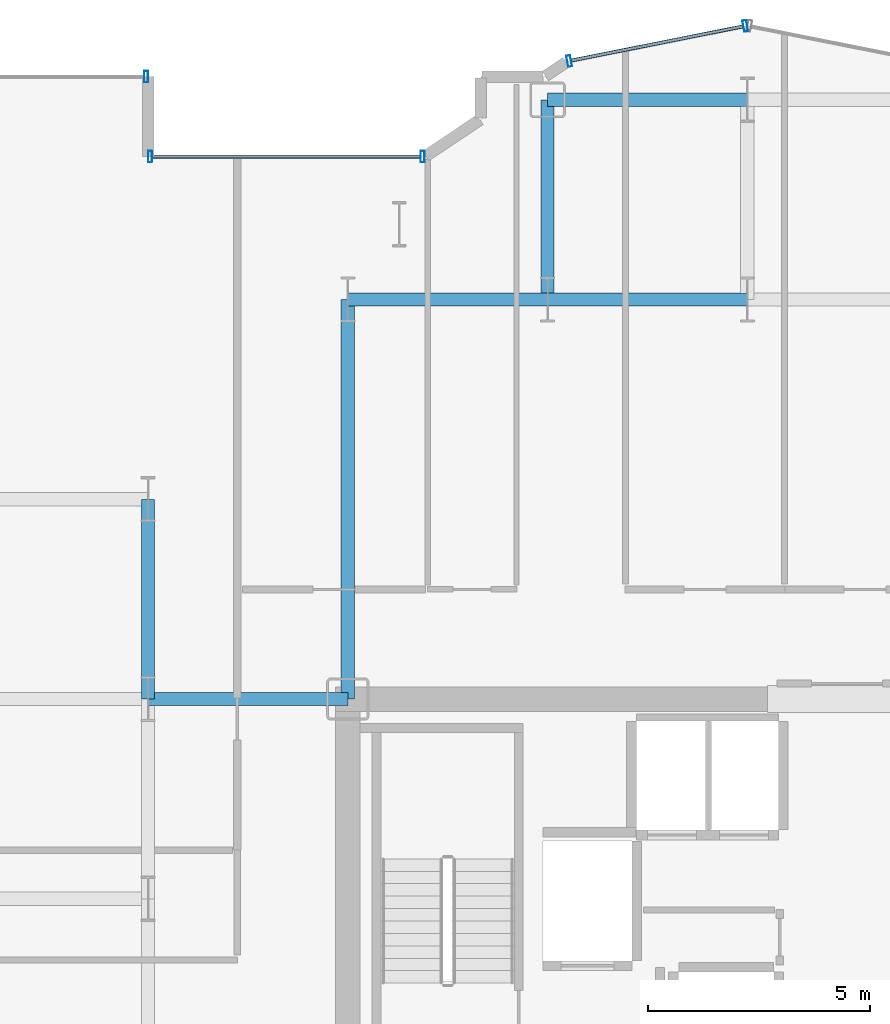
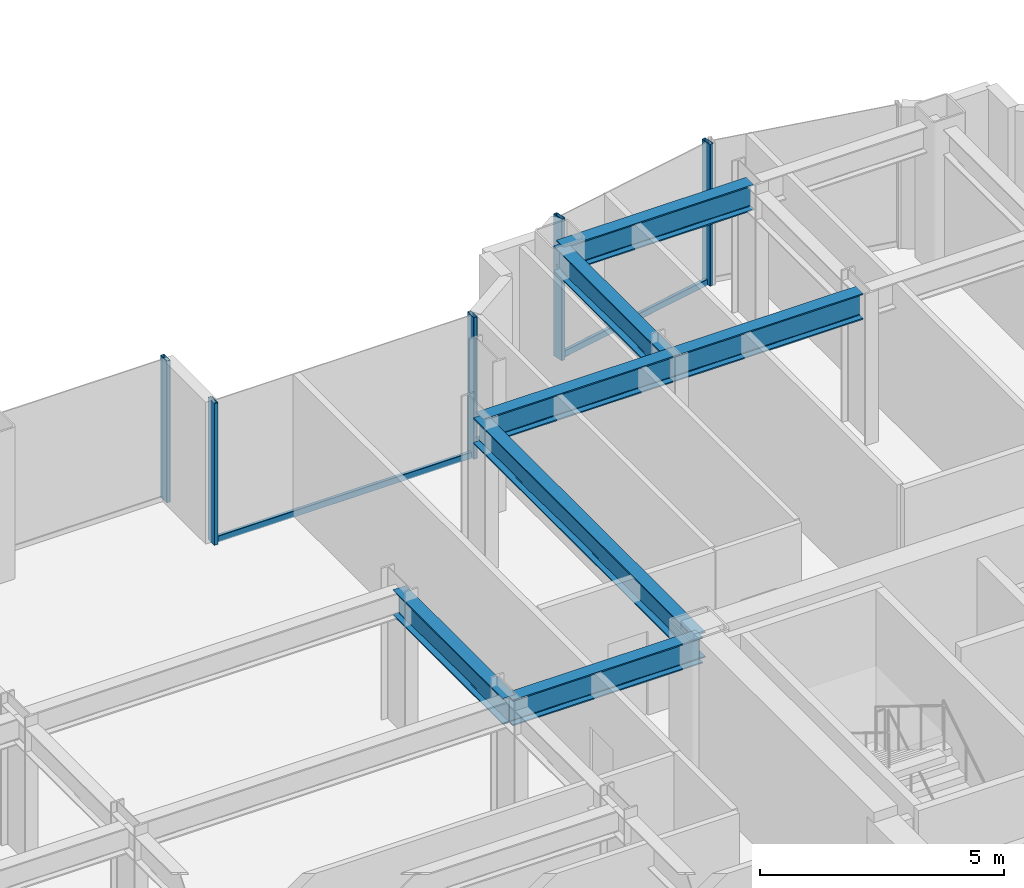
# One storey, part 10 of 26: 7 beams, 7 members, 3 elements without a shape of their own.
"""IFC4 building model written with IfcOpenShell, lengths in metres."""

from ifc_helpers import new_model, si_unit, direction, frame, origin, origin_2d, place, context, subcontext, project, spatial, hollow_rectangle, i_section, extrude, source, transform, mapped, material, layer, layer_set, material_profile, profile_set, type_object, element, aggregate, save


model = new_model("IFC4")

# Units and contexts
model_context = context("Model", 3, precision=1e-05, world=origin(), true_north=direction((0.0, 1.0)))
body_context = subcontext(model_context, "Body", "Model", "MODEL_VIEW")
ifc_project = project(units=[si_unit("LENGTHUNIT", "METRE"), si_unit("AREAUNIT", "SQUARE_METRE"), si_unit("VOLUMEUNIT", "CUBIC_METRE"), si_unit("PLANEANGLEUNIT", "RADIAN"), si_unit("MASSUNIT", "GRAM", prefix="KILO")], contexts=[model_context])

# Site, building, storey
site_placement = place(None, origin())
site = spatial("IfcSite", under=ifc_project, at=site_placement, CompositionType="ELEMENT")
building_placement = place(site_placement, origin())
building = spatial("IfcBuilding", under=site, at=building_placement, Name="Nefas-Gora Pilgrimage Tower", CompositionType="ELEMENT")
storey_placement = place(building_placement, frame((0.0, 0.0, 128.800048828125)))
storey = spatial("IfcBuildingStorey", under=building, at=storey_placement, Name="L31", CompositionType="ELEMENT", Elevation=128.800048828125)

# Beams
ifc_material_1 = material(Name="Steel S355", Category="steel")
ifc_material_profile_1 = material_profile(ifc_material_1, i_section(OverallWidth=0.300048828125, OverallDepth=0.64990234375, WebThickness=0.01611328125, FlangeThickness=0.031005859375, FilletRadius=0.027099609375, at=origin_2d()), Name="HEB 650")
ifc_profile_set_1 = profile_set([ifc_material_profile_1], Name="Steel S355")
beam_type = type_object("IfcBeamType", Name="BM-GIR-HEB650", PredefinedType="BEAM", material=ifc_profile_set_1)
shared_shape_1 = source(origin(), body_context, "Body", "SweptSolid", [
    extrude(i_section(OverallWidth=0.300048828125, OverallDepth=0.64990234375, WebThickness=0.01611328125, FlangeThickness=0.031005859375, FilletRadius=0.027099609375, at=origin_2d()), origin(), (0.0, 0.0, 1.0), 9.0),
])
beam_placement = place(storey_placement, frame((-11.25, 9.0, 3.224853515625), z_axis=(0.0, 1.0, 0.0), x_axis=(-1.0, 0.0, 0.0)))
element("IfcBeam", 1, at=beam_placement, inside=storey, type_object=beam_type, Name="L31 G-03 beam", PredefinedType="BEAM", context=body_context, shape_type="MappedRepresentation", body=[
    mapped(shared_shape_1, transform((0.0, 0.0, 0.0), x_axis=(1.0, 0.0, 0.0), y_axis=(0.0, 1.0, 0.0), z_axis=(0.0, 0.0, 1.0), scale=1.0)),
])
shared_shape_2 = source(origin(), body_context, "Body", "SweptSolid", [
    extrude(i_section(OverallWidth=0.300048828125, OverallDepth=0.64990234375, WebThickness=0.01611328125, FlangeThickness=0.031005859375, FilletRadius=0.027099609375, at=origin_2d()), origin(), (0.0, 0.0, 1.0), 4.5),
])
for number, where, z_axis, x_axis, name in (
    (2, (-15.75, 9.0, 3.224853515625), (0.0, 1.0, 0.0), (-1.0, 0.0, 0.0), "L31 G-03 beam"),
    (3, (-15.75, 9.0, 3.224853515625), (1.0, 0.0, 0.0), (0.0, 1.0, 0.0), "L31 G-03 beam"),
    (4, (-11.25, 18.0, 3.224853515625), (1.0, 0.0, 0.0), (0.0, 1.0, 0.0), "L31 G-03 beam"),
    (5, (-6.75, 18.0, 3.224853515625), (0.0, 1.0, 0.0), (-1.0, 0.0, 0.0), "L31 G-03 beam"),
    (6, (-6.75, 18.0, 3.224853515625), (1.0, 0.0, 0.0), (0.0, 1.0, 0.0), "L31 G-03 beam"),
    (7, (-6.75, 22.5, 3.224853515625), (1.0, 0.0, 0.0), (0.0, 1.0, 0.0), "L31 G-03 beam"),
):
    element("IfcBeam", number, at=place(storey_placement, frame(where, z_axis=z_axis, x_axis=x_axis)), inside=storey, type_object=beam_type, Name=name, PredefinedType="BEAM", context=body_context, shape_type="MappedRepresentation", body=[
        mapped(shared_shape_2, transform((0.0, 0.0, 0.0), x_axis=(1.0, 0.0, 0.0), y_axis=(0.0, 1.0, 0.0), z_axis=(0.0, 0.0, 1.0), scale=1.0)),
    ])

# Curtain wall, members
ifc_material_2 = material(Name="Dark ceramic-fritted solar-control aluminium-glass curtain wall", Category="aluminium")
ifc_layer_1 = layer(ifc_material_2, 0.219970703125)
ifc_layer_set_1 = layer_set([ifc_layer_1], Name="Dark ceramic-fritted solar-control aluminium-glass curtain wall")
curtain_wall_type_1 = type_object("IfcCurtainWallType", Name="CW-SYS-5", PredefinedType="NOTDEFINED", material=ifc_layer_set_1)
curtain_wall_1_placement = place(storey_placement, origin())
curtain_wall_1 = element("IfcCurtainWall", 8, at=curtain_wall_1_placement, inside=storey, type_object=curtain_wall_type_1, Name="L31 Unitised Curtain Wall CW5", PredefinedType="NOTDEFINED")
ifc_material_3 = material(Name="Anodised architectural aluminium", Category="aluminium")
ifc_material_profile_2 = material_profile(ifc_material_3, hollow_rectangle(XDim=0.090087890625, YDim=0.260009765625, WallThickness=0.006103515625, InnerFilletRadius=0.006103515625, OuterFilletRadius=0.011962890625, at=origin_2d()), Name="ALU MULLION 90x260")
ifc_profile_set_2 = profile_set([ifc_material_profile_2], Name="Anodised architectural aluminium")
member_type_1 = type_object("IfcMemberType", Name="CWM-MUL-5", PredefinedType="MULLION", material=ifc_profile_set_2)
shared_shape_3 = source(origin(), body_context, "Body", "SweptSolid", [
    extrude(hollow_rectangle(XDim=0.090087890625, YDim=0.260009765625, WallThickness=0.006103515625, InnerFilletRadius=0.006103515625, OuterFilletRadius=0.011962890625, at=origin_2d()), origin(), (0.0, 0.0, 1.0), 3.550048828125),
])
member_1_placement = place(storey_placement, frame((-2.294189453125, 24.16357421875, 0.0), z_axis=(0.0, 0.0, 1.0), x_axis=(-0.980782896852, -0.195102304554, 0.0)))
member_1 = element("IfcMember", 9, at=member_1_placement, type_object=member_type_1, Name="CW5 Mullion 1", PredefinedType="MULLION", context=body_context, shape_type="MappedRepresentation", body=[
    mapped(shared_shape_3, transform((0.0, 0.0, 0.0), x_axis=(1.0, 0.0, 0.0), y_axis=(0.0, 1.0, 0.0), z_axis=(0.0, 0.0, 1.0), scale=1.0)),
])
member_2_placement = place(storey_placement, frame((-6.26318359375, 23.3740234375, 0.0), z_axis=(0.0, 0.0, 1.0), x_axis=(-0.980782896852, -0.195102304554, 0.0)))
member_2 = element("IfcMember", 10, at=member_2_placement, type_object=member_type_1, Name="CW5 Mullion 2", PredefinedType="MULLION", context=body_context, shape_type="MappedRepresentation", body=[
    mapped(shared_shape_3, transform((0.0, 0.0, 0.0), x_axis=(1.0, 0.0, 0.0), y_axis=(0.0, 1.0, 0.0), z_axis=(0.0, 0.0, 1.0), scale=1.0)),
])

curtain_wall_2_placement = place(storey_placement, origin())
curtain_wall_2 = element("IfcCurtainWall", 11, at=curtain_wall_2_placement, inside=storey, type_object=curtain_wall_type_1, Name="L31 Unitised Curtain Wall CW5", PredefinedType="NOTDEFINED")
member_3_placement = place(storey_placement, frame((-9.56298828125, 21.219970703125, 0.0), z_axis=(0.0, 0.0, 1.0), x_axis=(-1.0, 0.0, 0.0)))
member_3 = element("IfcMember", 12, at=member_3_placement, type_object=member_type_1, Name="CW5 Mullion 1", PredefinedType="MULLION", context=body_context, shape_type="MappedRepresentation", body=[
    mapped(shared_shape_3, transform((0.0, 0.0, 0.0), x_axis=(1.0, 0.0, 0.0), y_axis=(0.0, 1.0, 0.0), z_axis=(0.0, 0.0, 1.0), scale=1.0)),
])
member_4_placement = place(storey_placement, frame((-15.705078125, 21.219970703125, 0.0), z_axis=(0.0, 0.0, 1.0), x_axis=(-1.0, 0.0, 0.0)))
member_4 = element("IfcMember", 13, at=member_4_placement, type_object=member_type_1, Name="CW5 Mullion 2", PredefinedType="MULLION", context=body_context, shape_type="MappedRepresentation", body=[
    mapped(shared_shape_3, transform((0.0, 0.0, 0.0), x_axis=(1.0, 0.0, 0.0), y_axis=(0.0, 1.0, 0.0), z_axis=(0.0, 0.0, 1.0), scale=1.0)),
])
ifc_material_profile_3 = material_profile(ifc_material_3, hollow_rectangle(XDim=0.080078125, YDim=0.159912109375, WallThickness=0.00439453125, InnerFilletRadius=0.00439453125, OuterFilletRadius=0.009033203125, at=origin_2d()), Name="ALU TRANSOM 80x160")
ifc_profile_set_3 = profile_set([ifc_material_profile_3], Name="Anodised architectural aluminium")
member_type_2 = type_object("IfcMemberType", Name="CWM-TRN-5", PredefinedType="USERDEFINED", material=ifc_profile_set_3)
shared_shape_4 = source(origin(), body_context, "Body", "SweptSolid", [
    extrude(hollow_rectangle(XDim=0.080078125, YDim=0.159912109375, WallThickness=0.00439453125, InnerFilletRadius=0.00439453125, OuterFilletRadius=0.009033203125, at=origin_2d()), origin(), (0.0, 0.0, 1.0), 6.052001953125),
])
member_5_placement = place(storey_placement, frame((-9.60791015625, 21.219970703125, 0.050048828125), z_axis=(-1.0, 0.0, 0.0), x_axis=(0.0, -1.0, 0.0)))
member_5 = element("IfcMember", 14, at=member_5_placement, type_object=member_type_2, Name="CW5 Spandrel Transom", ObjectType="TRANSOM", PredefinedType="USERDEFINED", context=body_context, shape_type="MappedRepresentation", body=[
    mapped(shared_shape_4, transform((0.0, 0.0, 0.0), x_axis=(1.0, 0.0, 0.0), y_axis=(0.0, 1.0, 0.0), z_axis=(0.0, 0.0, 1.0), scale=1.0)),
])
aggregate(curtain_wall_2, [member_3, member_4, member_5])

# Curtain wall, member
ifc_layer_2 = layer(ifc_material_2, 0.219970703125)
ifc_layer_set_2 = layer_set([ifc_layer_2], Name="Dark ceramic-fritted solar-control aluminium-glass curtain wall")
curtain_wall_type_2 = type_object("IfcCurtainWallType", Name="CW-SYS-2", PredefinedType="NOTDEFINED", material=ifc_layer_set_2)
curtain_wall_3_placement = place(storey_placement, origin())
curtain_wall_3 = element("IfcCurtainWall", 15, at=curtain_wall_3_placement, inside=storey, type_object=curtain_wall_type_2, Name="L31 Unitised Curtain Wall CW2", PredefinedType="NOTDEFINED")
ifc_material_profile_4 = material_profile(ifc_material_3, hollow_rectangle(XDim=0.090087890625, YDim=0.260009765625, WallThickness=0.006103515625, InnerFilletRadius=0.006103515625, OuterFilletRadius=0.011962890625, at=origin_2d()), Name="ALU MULLION 90x260")
ifc_profile_set_4 = profile_set([ifc_material_profile_4], Name="Anodised architectural aluminium")
member_type_3 = type_object("IfcMemberType", Name="CWM-MUL-2", PredefinedType="MULLION", material=ifc_profile_set_4)
shared_shape_5 = source(origin(), body_context, "Body", "SweptSolid", [
    extrude(hollow_rectangle(XDim=0.090087890625, YDim=0.260009765625, WallThickness=0.006103515625, InnerFilletRadius=0.006103515625, OuterFilletRadius=0.011962890625, at=origin_2d()), origin(), (0.0, 0.0, 1.0), 3.550048828125),
])
member_6_placement = place(storey_placement, frame((-15.794921875, 23.02001953125, 0.0), z_axis=(0.0, 0.0, 1.0), x_axis=(-1.0, 0.0, 0.0)))
member_6 = element("IfcMember", 16, at=member_6_placement, type_object=member_type_3, Name="CW2 Mullion 1", PredefinedType="MULLION", context=body_context, shape_type="MappedRepresentation", body=[
    mapped(shared_shape_5, transform((0.0, 0.0, 0.0), x_axis=(1.0, 0.0, 0.0), y_axis=(0.0, 1.0, 0.0), z_axis=(0.0, 0.0, 1.0), scale=1.0)),
])
aggregate(curtain_wall_3, [member_6])

# Member
shared_shape_6 = source(origin(), body_context, "Body", "SweptSolid", [
    extrude(hollow_rectangle(XDim=0.080078125, YDim=0.159912109375, WallThickness=0.00439453125, InnerFilletRadius=0.00439453125, OuterFilletRadius=0.009033203125, at=origin_2d()), origin(), (0.0, 0.0, 1.0), 3.95654296875),
])
member_7_placement = place(storey_placement, frame((-2.33837890625, 24.15478515625, 0.050048828125), z_axis=(-0.980781880918, -0.195107411605, 0.0), x_axis=(0.195107411605, -0.980781880918, 0.0)))
member_7 = element("IfcMember", 17, at=member_7_placement, type_object=member_type_2, Name="CW5 Spandrel Transom", ObjectType="TRANSOM", PredefinedType="USERDEFINED", context=body_context, shape_type="MappedRepresentation", body=[
    mapped(shared_shape_6, transform((0.0, 0.0, 0.0), x_axis=(1.0, 0.0, 0.0), y_axis=(0.0, 1.0, 0.0), z_axis=(0.0, 0.0, 1.0), scale=1.0)),
])

aggregate(curtain_wall_1, [member_1, member_2, member_7])

save(model, "model.ifc")
